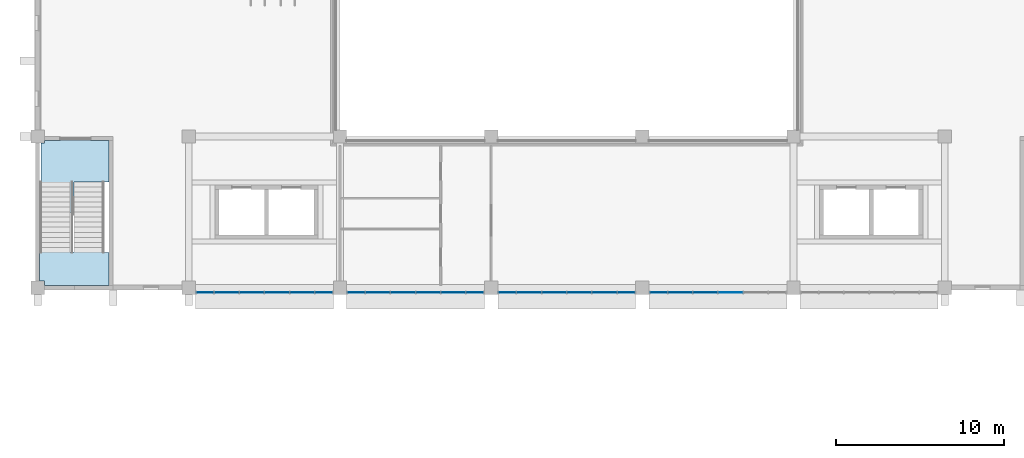
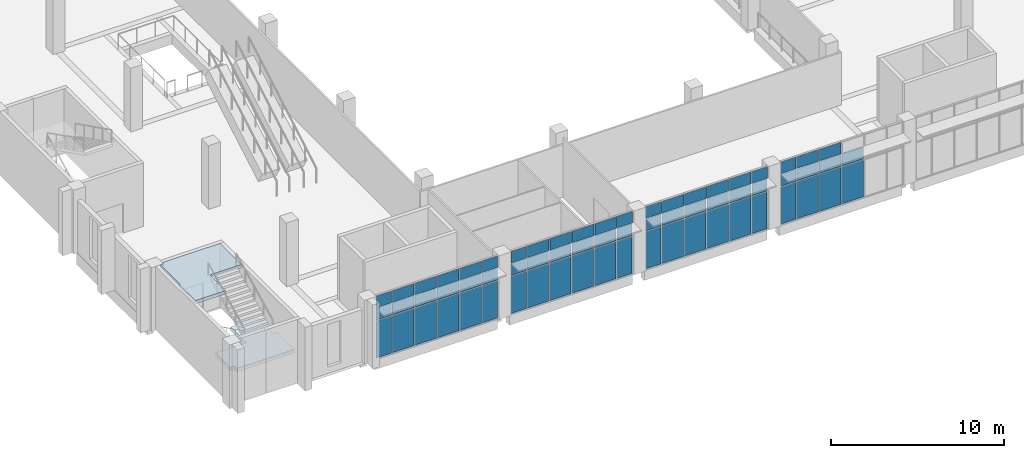
# One storey, part 41 of 79: 65 plates, 2 slabs, 5 elements without a shape of their own.
"""IFC4 building model written with IfcOpenShell, lengths in metres."""

import ifcopenshell
import ifcopenshell.guid

model = None  # the IFC model being written
_history = None  # IfcOwnerHistory: only IFC2X3 demands one
_inside = {}  # id of a spatial element -> (the spatial element, [elements in it])
_under = {}  # id of a project, library or spatial element -> (it, [spatial elements below it])
_declared = {}  # id of a project -> (the project, [libraries it declares])
_typed = {}  # id of a type object -> (the type object, [elements of that type])
_made_of = {}  # id of a material, layer set ... -> (it, [elements and type objects made of it])


def new_model(schema):
    """Start an empty IFC model of exactly this schema.

    Asked for "IFC4X3", IfcOpenShell would pick the latest addendum, in which some entities
    have other attributes; the version numbers below select the first issue.
    IFC2X3 requires an IfcOwnerHistory on every rooted entity: one is made here for all.
    """
    global model, _history
    if schema == "IFC4X3":
        model = ifcopenshell.file(schema_version=(4, 3, 0, 0))
    else:
        model = ifcopenshell.file(schema=schema)
    _inside.clear()
    _under.clear()
    _declared.clear()
    _typed.clear()
    _made_of.clear()
    _history = None
    if model.schema == "IFC2X3":
        org = make("IfcOrganization", Name="unknown")
        user = make(
            "IfcPersonAndOrganization",
            ThePerson=make("IfcPerson", FamilyName="unknown"),
            TheOrganization=org,
        )
        app = make(
            "IfcApplication",
            ApplicationDeveloper=org,
            Version="unknown",
            ApplicationFullName="unknown",
            ApplicationIdentifier="unknown",
        )
        _history = make(
            "IfcOwnerHistory",
            OwningUser=user,
            OwningApplication=app,
            ChangeAction="ADDED",
            CreationDate=0,
        )
    return model


def make(cls, **values):
    """One entity of the class cls with the attributes given. An attribute that is None is left unset."""
    return model.create_entity(
        cls, **{name: value for name, value in values.items() if value is not None}
    )


def rooted(cls, **values):
    """An entity with a GlobalId (a new one), such as an element, a storey or a relation."""
    return make(cls, GlobalId=ifcopenshell.guid.new(), OwnerHistory=_history, **values)


def si_unit(unit_type, name, prefix=None):
    """IfcSIUnit, for example si_unit("LENGTHUNIT", "METRE", prefix="MILLI")."""
    return make("IfcSIUnit", UnitType=unit_type, Prefix=prefix, Name=name)


def assignment(units):
    """IfcUnitAssignment: the units of a project."""
    return None if units is None else make("IfcUnitAssignment", Units=units)


def point(xyz):
    """IfcCartesianPoint."""
    return None if xyz is None else make("IfcCartesianPoint", Coordinates=xyz)


def direction(xyz):
    """IfcDirection."""
    return None if xyz is None else make("IfcDirection", DirectionRatios=xyz)


def frame(location, z_axis=None, x_axis=None):
    """IfcAxis2Placement3D, a coordinate frame: its origin and axes. An axis left out is left unset."""
    return make(
        "IfcAxis2Placement3D",
        Location=point(location),
        Axis=direction(z_axis),
        RefDirection=direction(x_axis),
    )


def frame_2d(location, x_axis=None):
    """IfcAxis2Placement2D, a coordinate frame in the plane: its origin and x axis."""
    return make(
        "IfcAxis2Placement2D", Location=point(location), RefDirection=direction(x_axis)
    )


def origin():
    """The frame at (0, 0, 0) with its axes left unset."""
    return frame((0.0, 0.0, 0.0))


def origin_2d():
    """The frame at (0, 0) in the plane with its x axis left unset."""
    return frame_2d((0.0, 0.0))


def place(relative_to, where):
    """IfcLocalPlacement: puts the frame where relative to a parent placement (None: the world)."""
    return make(
        "IfcLocalPlacement", PlacementRelTo=relative_to, RelativePlacement=where
    )


def context(
    kind, dimensions, precision=None, world=None, true_north=None, identifier=None
):
    """IfcGeometricRepresentationContext, for example the 3D "Model" context."""
    return make(
        "IfcGeometricRepresentationContext",
        ContextIdentifier=identifier,
        ContextType=kind,
        CoordinateSpaceDimension=dimensions,
        Precision=precision,
        WorldCoordinateSystem=world,
        TrueNorth=true_north,
    )


def subcontext(parent, identifier, kind, view, scale=None):
    """IfcGeometricRepresentationSubContext, for example "Body" below "Model"."""
    return make(
        "IfcGeometricRepresentationSubContext",
        ContextIdentifier=identifier,
        ContextType=kind,
        ParentContext=parent,
        TargetScale=scale,
        TargetView=view,
    )


def project(units=None, contexts=None):
    """IfcProject with its units and contexts."""
    return rooted(
        "IfcProject",
        Name="project",
        RepresentationContexts=contexts,
        UnitsInContext=assignment(units),
    )


def spatial(cls, under=None, at=None, **own):
    """A site, building, storey or space (cls), placed at a placement, below another one or the project."""
    s = rooted(cls, ObjectPlacement=at, **own)
    if under is not None:
        _under.setdefault(under.id(), (under, []))[1].append(s)
    return s


def polyline(points):
    """IfcPolyline through the points."""
    return make("IfcPolyline", Points=[point(p) for p in points])


def profile(cls, at=None, kind="AREA", **sizes):
    """A parametric profile (cls). Its sizes go by their IFC names, for example OverallWidth=200.0."""
    return make(cls, ProfileType=kind, Position=at, **sizes)


def rectangle(**sizes):
    """IfcRectangleProfileDef."""
    return profile("IfcRectangleProfileDef", **sizes)


def outline(outer, holes=None, kind="AREA"):
    """IfcArbitraryClosedProfileDef: a profile drawn as a closed curve; with holes, ...WithVoids."""
    if holes is None:
        return make("IfcArbitraryClosedProfileDef", ProfileType=kind, OuterCurve=outer)
    return make(
        "IfcArbitraryProfileDefWithVoids",
        ProfileType=kind,
        OuterCurve=outer,
        InnerCurves=holes,
    )


def extrude(swept, where, along, depth):
    """IfcExtrudedAreaSolid: the profile swept, set in the frame where, extruded along a direction by depth."""
    return make(
        "IfcExtrudedAreaSolid",
        SweptArea=swept,
        Position=where,
        ExtrudedDirection=direction(along),
        Depth=depth,
    )


def shape(context_of_items, identifier, shape_type, items):
    """IfcShapeRepresentation: the items that make up one representation, for example the "Body"."""
    return make(
        "IfcShapeRepresentation",
        ContextOfItems=context_of_items,
        RepresentationIdentifier=identifier,
        RepresentationType=shape_type,
        Items=items,
    )


def material(Name=None, Category=None):
    """IfcMaterial."""
    return make("IfcMaterial", Name=Name, Category=Category)


def layer(
    of_material, thickness, ventilated=None, Name=None, Category=None, Priority=None
):
    """IfcMaterialLayer: one layer of a wall or slab, of a material (None: an air gap)."""
    return make(
        "IfcMaterialLayer",
        Material=of_material,
        LayerThickness=thickness,
        IsVentilated=ventilated,
        Name=Name,
        Category=Category,
        Priority=Priority,
    )


def layer_set(layers, Name=None):
    """IfcMaterialLayerSet."""
    return make("IfcMaterialLayerSet", MaterialLayers=layers, LayerSetName=Name)


def made_of(thing, what):
    """Note that an element or type object is made of a material, layer set ...; save() writes the relation."""
    if what is not None:
        _made_of.setdefault(what.id(), (what, []))[1].append(thing)
    return thing


def type_object(cls, material=None, **own):
    """A type object (cls), such as IfcWallType, which elements share."""
    return made_of(rooted(cls, **own), material)


def element(
    cls,
    number,
    at=None,
    inside=None,
    cuts=None,
    type_object=None,
    material=None,
    context=None,
    identifier="Body",
    shape_type=None,
    held_by="IfcProductDefinitionShape",
    body=None,
    shapes=None,
    **own,
):
    """One element of the class cls, such as IfcWall. Its Tag is "e" and its number.

    at: its placement. inside: the storey or other place that contains it. cuts: it is an
    opening in that element (IfcRelVoidsElement). A single representation is given by context,
    identifier, shape_type and body (its items); several are given by shapes. held_by: the class
    of the entity that holds the representations. save() writes the other relations.
    """
    e = rooted(cls, Tag="e%d" % number, ObjectPlacement=at, **own)
    if body is not None:
        shapes = [shape(context, identifier, shape_type, body)]
    if shapes is not None:
        e.Representation = make(held_by, Representations=shapes)
    if inside is not None:
        _inside.setdefault(inside.id(), (inside, []))[1].append(e)
    if cuts is not None:
        rooted(
            "IfcRelVoidsElement", RelatingBuildingElement=cuts, RelatedOpeningElement=e
        )
    if type_object is not None:
        _typed.setdefault(type_object.id(), (type_object, []))[1].append(e)
    return made_of(e, material)


def aggregate(whole, parts):
    """IfcRelAggregates: a whole, such as a stair, and the parts it consists of."""
    return rooted("IfcRelAggregates", RelatingObject=whole, RelatedObjects=parts)


def save(model, path):
    """Write the relations noted so far, then the file.

    IfcRelAggregates (storeys below a building ...), IfcRelContainedInSpatialStructure (elements
    in a storey), IfcRelDefinesByType, IfcRelAssociatesMaterial and IfcRelDeclares: one each for
    every whole, place, type object, material and project.
    """
    for whole, parts in _under.values():
        aggregate(whole, parts)
    for where, things in _inside.values():
        rooted(
            "IfcRelContainedInSpatialStructure",
            RelatedElements=things,
            RelatingStructure=where,
        )
    for kind, things in _typed.values():
        rooted("IfcRelDefinesByType", RelatedObjects=things, RelatingType=kind)
    for what, things in _made_of.values():
        rooted("IfcRelAssociatesMaterial", RelatedObjects=things, RelatingMaterial=what)
    for by, libraries in _declared.values():
        rooted("IfcRelDeclares", RelatingContext=by, RelatedDefinitions=libraries)
    model.write(path)


model = new_model("IFC4")

# Units and contexts
model_context = context("Model", 3, precision=1e-05, world=origin(), true_north=direction((0.0, 1.0)))
body_context = subcontext(model_context, "Body", "Model", "MODEL_VIEW")
ifc_project = project(units=[si_unit("LENGTHUNIT", "METRE"), si_unit("AREAUNIT", "SQUARE_METRE"), si_unit("VOLUMEUNIT", "CUBIC_METRE"), si_unit("PLANEANGLEUNIT", "RADIAN"), si_unit("MASSUNIT", "GRAM", prefix="KILO")], contexts=[model_context])

# Site, building, storey
site_placement = place(None, origin())
site = spatial("IfcSite", under=ifc_project, at=site_placement, CompositionType="ELEMENT")
building_placement = place(site_placement, origin())
building = spatial("IfcBuilding", under=site, at=building_placement, Name="Guidao Yard Department Store", CompositionType="ELEMENT")
storey_placement = place(building_placement, frame((0.0, 0.0, 15.0)))
storey = spatial("IfcBuildingStorey", under=building, at=storey_placement, Name="L03", CompositionType="ELEMENT", Elevation=15.0)

# Curtain wall, plates
ifc_material_1 = material(Name="Aluminium and glass", Category="aluminium")
ifc_layer_1 = layer(ifc_material_1, 0.159912109375)
ifc_layer_set_1 = layer_set([ifc_layer_1], Name="Hall front curtain wall CW2 1500 module")
curtain_wall_type = type_object("IfcCurtainWallType", Name="Hall front curtain wall CW2 1500 module", PredefinedType="NOTDEFINED", material=ifc_layer_set_1)
curtain_wall_1_placement = place(storey_placement, origin())
curtain_wall_1 = element("IfcCurtainWall", 1, at=curtain_wall_1_placement, inside=storey, type_object=curtain_wall_type, Name="Hall front curtain wall", PredefinedType="NOTDEFINED")
ifc_material_2 = material(Name="Aluminium 6063-T5 faced insulated spandrel", Category="aluminium")
ifc_layer_2 = layer(ifc_material_2, 0.06005859375)
ifc_layer_set_2 = layer_set([ifc_layer_2], Name="Spandrel panel SP1 insulated opaque")
plate_type_1 = type_object("IfcPlateType", Name="Spandrel panel SP1 insulated opaque", PredefinedType="CURTAIN_PANEL", material=ifc_layer_set_2)
plate_1_placement = place(storey_placement, frame((9.965087890625, 44.719970703125, 3.6298828125), z_axis=(0.0, 0.0, 1.0), x_axis=(-1.0, 0.0, 0.0)))
plate_1 = element("IfcPlate", 2, at=plate_1_placement, type_object=plate_type_1, Name="CW-HF-L03-01 panel 1.3", PredefinedType="CURTAIN_PANEL", context=body_context, shape_type="SweptSolid", body=[
    extrude(rectangle(XDim=1.010009765625, YDim=0.06005859375, at=origin_2d()), origin(), (0.0, 0.0, 1.0), 0.81005859375),
])
plate_2_placement = place(storey_placement, frame((11.25, 44.719970703125, 3.6298828125), z_axis=(0.0, 0.0, 1.0), x_axis=(-1.0, 0.0, 0.0)))
plate_2 = element("IfcPlate", 3, at=plate_2_placement, type_object=plate_type_1, Name="CW-HF-L03-01 panel 2.3", PredefinedType="CURTAIN_PANEL", context=body_context, shape_type="SweptSolid", body=[
    extrude(rectangle(XDim=1.43994140625, YDim=0.06005859375, at=origin_2d()), origin(), (0.0, 0.0, 1.0), 0.81005859375),
])
plate_3_placement = place(storey_placement, frame((12.75, 44.719970703125, 3.6298828125), z_axis=(0.0, 0.0, 1.0), x_axis=(-1.0, 0.0, 0.0)))
plate_3 = element("IfcPlate", 4, at=plate_3_placement, type_object=plate_type_1, Name="CW-HF-L03-01 panel 3.3", PredefinedType="CURTAIN_PANEL", context=body_context, shape_type="SweptSolid", body=[
    extrude(rectangle(XDim=1.43994140625, YDim=0.06005859375, at=origin_2d()), origin(), (0.0, 0.0, 1.0), 0.81005859375),
])
plate_4_placement = place(storey_placement, frame((14.25, 44.719970703125, 3.6298828125), z_axis=(0.0, 0.0, 1.0), x_axis=(-1.0, 0.0, 0.0)))
plate_4 = element("IfcPlate", 5, at=plate_4_placement, type_object=plate_type_1, Name="CW-HF-L03-01 panel 4.3", PredefinedType="CURTAIN_PANEL", context=body_context, shape_type="SweptSolid", body=[
    extrude(rectangle(XDim=1.43994140625, YDim=0.06005859375, at=origin_2d()), origin(), (0.0, 0.0, 1.0), 0.81005859375),
])
plate_5_placement = place(storey_placement, frame((15.75, 44.719970703125, 3.6298828125), z_axis=(0.0, 0.0, 1.0), x_axis=(-1.0, 0.0, 0.0)))
plate_5 = element("IfcPlate", 6, at=plate_5_placement, type_object=plate_type_1, Name="CW-HF-L03-01 panel 5.3", PredefinedType="CURTAIN_PANEL", context=body_context, shape_type="SweptSolid", body=[
    extrude(rectangle(XDim=1.43994140625, YDim=0.06005859375, at=origin_2d()), origin(), (0.0, 0.0, 1.0), 0.81005859375),
])
plate_6_placement = place(storey_placement, frame((17.034912109375, 44.719970703125, 3.6298828125), z_axis=(0.0, 0.0, 1.0), x_axis=(-1.0, 0.0, 0.0)))
plate_6 = element("IfcPlate", 7, at=plate_6_placement, type_object=plate_type_1, Name="CW-HF-L03-01 panel 6.3", PredefinedType="CURTAIN_PANEL", context=body_context, shape_type="SweptSolid", body=[
    extrude(rectangle(XDim=1.010009765625, YDim=0.06005859375, at=origin_2d()), origin(), (0.0, 0.0, 1.0), 0.81005859375),
])

curtain_wall_2_placement = place(storey_placement, origin())
curtain_wall_2 = element("IfcCurtainWall", 8, at=curtain_wall_2_placement, inside=storey, type_object=curtain_wall_type, Name="Hall front curtain wall", PredefinedType="NOTDEFINED")
plate_7_placement = place(storey_placement, frame((18.965087890625, 44.719970703125, 3.6298828125), z_axis=(0.0, 0.0, 1.0), x_axis=(-1.0, 0.0, 0.0)))
plate_7 = element("IfcPlate", 9, at=plate_7_placement, type_object=plate_type_1, Name="CW-HF-L03-02 panel 1.3", PredefinedType="CURTAIN_PANEL", context=body_context, shape_type="SweptSolid", body=[
    extrude(rectangle(XDim=1.010009765625, YDim=0.06005859375, at=origin_2d()), origin(), (0.0, 0.0, 1.0), 0.81005859375),
])
plate_8_placement = place(storey_placement, frame((20.25, 44.719970703125, 3.6298828125), z_axis=(0.0, 0.0, 1.0), x_axis=(-1.0, 0.0, 0.0)))
plate_8 = element("IfcPlate", 10, at=plate_8_placement, type_object=plate_type_1, Name="CW-HF-L03-02 panel 2.3", PredefinedType="CURTAIN_PANEL", context=body_context, shape_type="SweptSolid", body=[
    extrude(rectangle(XDim=1.43994140625, YDim=0.06005859375, at=origin_2d()), origin(), (0.0, 0.0, 1.0), 0.81005859375),
])
plate_9_placement = place(storey_placement, frame((21.75, 44.719970703125, 3.6298828125), z_axis=(0.0, 0.0, 1.0), x_axis=(-1.0, 0.0, 0.0)))
plate_9 = element("IfcPlate", 11, at=plate_9_placement, type_object=plate_type_1, Name="CW-HF-L03-02 panel 3.3", PredefinedType="CURTAIN_PANEL", context=body_context, shape_type="SweptSolid", body=[
    extrude(rectangle(XDim=1.43994140625, YDim=0.06005859375, at=origin_2d()), origin(), (0.0, 0.0, 1.0), 0.81005859375),
])
plate_10_placement = place(storey_placement, frame((23.25, 44.719970703125, 3.6298828125), z_axis=(0.0, 0.0, 1.0), x_axis=(-1.0, 0.0, 0.0)))
plate_10 = element("IfcPlate", 12, at=plate_10_placement, type_object=plate_type_1, Name="CW-HF-L03-02 panel 4.3", PredefinedType="CURTAIN_PANEL", context=body_context, shape_type="SweptSolid", body=[
    extrude(rectangle(XDim=1.43994140625, YDim=0.06005859375, at=origin_2d()), origin(), (0.0, 0.0, 1.0), 0.81005859375),
])
plate_11_placement = place(storey_placement, frame((24.75, 44.719970703125, 3.6298828125), z_axis=(0.0, 0.0, 1.0), x_axis=(-1.0, 0.0, 0.0)))
plate_11 = element("IfcPlate", 13, at=plate_11_placement, type_object=plate_type_1, Name="CW-HF-L03-02 panel 5.3", PredefinedType="CURTAIN_PANEL", context=body_context, shape_type="SweptSolid", body=[
    extrude(rectangle(XDim=1.43994140625, YDim=0.06005859375, at=origin_2d()), origin(), (0.0, 0.0, 1.0), 0.81005859375),
])
plate_12_placement = place(storey_placement, frame((26.034912109375, 44.719970703125, 3.6298828125), z_axis=(0.0, 0.0, 1.0), x_axis=(-1.0, 0.0, 0.0)))
plate_12 = element("IfcPlate", 14, at=plate_12_placement, type_object=plate_type_1, Name="CW-HF-L03-02 panel 6.3", PredefinedType="CURTAIN_PANEL", context=body_context, shape_type="SweptSolid", body=[
    extrude(rectangle(XDim=1.010009765625, YDim=0.06005859375, at=origin_2d()), origin(), (0.0, 0.0, 1.0), 0.81005859375),
])

curtain_wall_3_placement = place(storey_placement, origin())
curtain_wall_3 = element("IfcCurtainWall", 15, at=curtain_wall_3_placement, inside=storey, type_object=curtain_wall_type, Name="Hall front curtain wall", PredefinedType="NOTDEFINED")
plate_13_placement = place(storey_placement, frame((27.965087890625, 44.719970703125, 3.6298828125), z_axis=(0.0, 0.0, 1.0), x_axis=(-1.0, 0.0, 0.0)))
plate_13 = element("IfcPlate", 16, at=plate_13_placement, type_object=plate_type_1, Name="CW-HF-L03-03 panel 1.3", PredefinedType="CURTAIN_PANEL", context=body_context, shape_type="SweptSolid", body=[
    extrude(rectangle(XDim=1.010009765625, YDim=0.06005859375, at=origin_2d()), origin(), (0.0, 0.0, 1.0), 0.81005859375),
])
plate_14_placement = place(storey_placement, frame((29.25, 44.719970703125, 3.6298828125), z_axis=(0.0, 0.0, 1.0), x_axis=(-1.0, 0.0, 0.0)))
plate_14 = element("IfcPlate", 17, at=plate_14_placement, type_object=plate_type_1, Name="CW-HF-L03-03 panel 2.3", PredefinedType="CURTAIN_PANEL", context=body_context, shape_type="SweptSolid", body=[
    extrude(rectangle(XDim=1.43994140625, YDim=0.06005859375, at=origin_2d()), origin(), (0.0, 0.0, 1.0), 0.81005859375),
])
plate_15_placement = place(storey_placement, frame((30.75, 44.719970703125, 3.6298828125), z_axis=(0.0, 0.0, 1.0), x_axis=(-1.0, 0.0, 0.0)))
plate_15 = element("IfcPlate", 18, at=plate_15_placement, type_object=plate_type_1, Name="CW-HF-L03-03 panel 3.3", PredefinedType="CURTAIN_PANEL", context=body_context, shape_type="SweptSolid", body=[
    extrude(rectangle(XDim=1.43994140625, YDim=0.06005859375, at=origin_2d()), origin(), (0.0, 0.0, 1.0), 0.81005859375),
])
plate_16_placement = place(storey_placement, frame((32.25, 44.719970703125, 3.6298828125), z_axis=(0.0, 0.0, 1.0), x_axis=(-1.0, 0.0, 0.0)))
plate_16 = element("IfcPlate", 19, at=plate_16_placement, type_object=plate_type_1, Name="CW-HF-L03-03 panel 4.3", PredefinedType="CURTAIN_PANEL", context=body_context, shape_type="SweptSolid", body=[
    extrude(rectangle(XDim=1.43994140625, YDim=0.06005859375, at=origin_2d()), origin(), (0.0, 0.0, 1.0), 0.81005859375),
])
plate_17_placement = place(storey_placement, frame((33.75, 44.719970703125, 3.6298828125), z_axis=(0.0, 0.0, 1.0), x_axis=(-1.0, 0.0, 0.0)))
plate_17 = element("IfcPlate", 20, at=plate_17_placement, type_object=plate_type_1, Name="CW-HF-L03-03 panel 5.3", PredefinedType="CURTAIN_PANEL", context=body_context, shape_type="SweptSolid", body=[
    extrude(rectangle(XDim=1.43994140625, YDim=0.06005859375, at=origin_2d()), origin(), (0.0, 0.0, 1.0), 0.81005859375),
])
plate_18_placement = place(storey_placement, frame((35.034912109375, 44.719970703125, 3.6298828125), z_axis=(0.0, 0.0, 1.0), x_axis=(-1.0, 0.0, 0.0)))
plate_18 = element("IfcPlate", 21, at=plate_18_placement, type_object=plate_type_1, Name="CW-HF-L03-03 panel 6.3", PredefinedType="CURTAIN_PANEL", context=body_context, shape_type="SweptSolid", body=[
    extrude(rectangle(XDim=1.010009765625, YDim=0.06005859375, at=origin_2d()), origin(), (0.0, 0.0, 1.0), 0.81005859375),
])

curtain_wall_4_placement = place(storey_placement, origin())
curtain_wall_4 = element("IfcCurtainWall", 22, at=curtain_wall_4_placement, inside=storey, type_object=curtain_wall_type, Name="Hall front curtain wall", PredefinedType="NOTDEFINED")
plate_19_placement = place(storey_placement, frame((36.965087890625, 44.719970703125, 3.6298828125), z_axis=(0.0, 0.0, 1.0), x_axis=(-1.0, 0.0, 0.0)))
plate_19 = element("IfcPlate", 23, at=plate_19_placement, type_object=plate_type_1, Name="CW-HF-L03-04 panel 1.3", PredefinedType="CURTAIN_PANEL", context=body_context, shape_type="SweptSolid", body=[
    extrude(rectangle(XDim=1.010009765625, YDim=0.06005859375, at=origin_2d()), origin(), (0.0, 0.0, 1.0), 0.81005859375),
])
plate_20_placement = place(storey_placement, frame((38.25, 44.719970703125, 3.6298828125), z_axis=(0.0, 0.0, 1.0), x_axis=(-1.0, 0.0, 0.0)))
plate_20 = element("IfcPlate", 24, at=plate_20_placement, type_object=plate_type_1, Name="CW-HF-L03-04 panel 2.3", PredefinedType="CURTAIN_PANEL", context=body_context, shape_type="SweptSolid", body=[
    extrude(rectangle(XDim=1.43994140625, YDim=0.06005859375, at=origin_2d()), origin(), (0.0, 0.0, 1.0), 0.81005859375),
])
plate_21_placement = place(storey_placement, frame((39.75, 44.719970703125, 3.6298828125), z_axis=(0.0, 0.0, 1.0), x_axis=(-1.0, 0.0, 0.0)))
plate_21 = element("IfcPlate", 25, at=plate_21_placement, type_object=plate_type_1, Name="CW-HF-L03-04 panel 3.3", PredefinedType="CURTAIN_PANEL", context=body_context, shape_type="SweptSolid", body=[
    extrude(rectangle(XDim=1.43994140625, YDim=0.06005859375, at=origin_2d()), origin(), (0.0, 0.0, 1.0), 0.81005859375),
])

# Stair, slabs
ifc_material_3 = material(Name="Concrete C35", Category="concrete")
stair_type = type_object("IfcStairType", Name="Stair half-turn two-flight 1800 wide 4.5 m rise", PredefinedType="HALF_TURN_STAIR", material=ifc_material_3)
stair_placement = place(storey_placement, origin())
stair = element("IfcStair", 26, at=stair_placement, inside=storey, type_object=stair_type, Name="Stair A8 L03 to L04", PredefinedType="HALF_TURN_STAIR")
ifc_material_4 = material(Name="Concrete C35", Category="concrete")
ifc_layer_3 = layer(ifc_material_4, 0.25)
ifc_layer_set_3 = layer_set([ifc_layer_3], Name="Stair landing RC 250 C35")
slab_type = type_object("IfcSlabType", Name="Stair landing RC 250 C35", PredefinedType="LANDING", material=ifc_layer_set_3)
slab_1_placement = place(storey_placement, frame((0.0, 0.0, 2.0)))
slab_1 = element("IfcSlab", 27, at=slab_1_placement, type_object=slab_type, Name="SA8-L03 landing 1", PredefinedType="LANDING", context=body_context, shape_type="SweptSolid", body=[
    extrude(outline(polyline([(0.39990234375, 45.125), (0.39990234375, 45.39990234375), (0.125, 45.39990234375), (0.125, 47.10009765625), (0.125, 47.110107421875), (2.175048828125, 47.110107421875), (2.175048828125, 48.929931640625), (3.97509765625, 48.929931640625), (3.97509765625, 47.10009765625), (4.25, 47.10009765625), (4.25, 45.125), (0.39990234375, 45.125)])), origin(), (0.0, 0.0, 1.0), 0.25),
])
slab_2_placement = place(storey_placement, frame((0.0, 0.0, 4.25)))
slab_2 = element("IfcSlab", 28, at=slab_2_placement, type_object=slab_type, Name="SA8-L03 landing 2", PredefinedType="LANDING", context=body_context, shape_type="SweptSolid", body=[
    extrude(outline(polyline([(0.125, 51.300048828125), (0.199951171875, 51.300048828125), (0.199951171875, 53.60009765625), (0.39990234375, 53.60009765625), (0.39990234375, 53.75), (2.175048828125, 53.75), (4.25, 53.75), (4.25, 51.2900390625), (2.175048828125, 51.2900390625), (2.175048828125, 49.469970703125), (0.125, 49.469970703125), (0.125, 51.300048828125)])), origin(), (0.0, 0.0, 1.0), 0.25),
])
aggregate(stair, [slab_1, slab_2])

# Plate
ifc_material_5 = material(Name="Laminated heat-soaked tempered glass", Category="glass")
ifc_layer_4 = layer(ifc_material_5, 0.017578125)
ifc_layer_set_4 = layer_set([ifc_layer_4], Name="Vision glass VG1 laminated heat-soaked tempered 8+8")
plate_type_2 = type_object("IfcPlateType", Name="Vision glass VG1 laminated heat-soaked tempered 8+8", PredefinedType="CURTAIN_PANEL", material=ifc_layer_set_4)
plate_22_placement = place(storey_placement, frame((9.965087890625, 44.719970703125, 0.06005859375), z_axis=(0.0, 0.0, 1.0), x_axis=(-1.0, 0.0, 0.0)))
plate_22 = element("IfcPlate", 29, at=plate_22_placement, type_object=plate_type_2, Name="CW-HF-L03-01 panel 1.1", PredefinedType="CURTAIN_PANEL", context=body_context, shape_type="SweptSolid", body=[
    extrude(rectangle(XDim=1.010009765625, YDim=0.017578125, at=origin_2d()), origin(), (0.0, 0.0, 1.0), 2.610107421875),
])

plate_23_placement = place(storey_placement, frame((9.965087890625, 44.719970703125, 2.72998046875), z_axis=(0.0, 0.0, 1.0), x_axis=(-1.0, 0.0, 0.0)))
plate_23 = element("IfcPlate", 30, at=plate_23_placement, type_object=plate_type_2, Name="CW-HF-L03-01 panel 1.2", PredefinedType="CURTAIN_PANEL", context=body_context, shape_type="SweptSolid", body=[
    extrude(rectangle(XDim=1.010009765625, YDim=0.017578125, at=origin_2d()), origin(), (0.0, 0.0, 1.0), 0.840087890625),
])

plate_24_placement = place(storey_placement, frame((11.25, 44.719970703125, 0.06005859375), z_axis=(0.0, 0.0, 1.0), x_axis=(-1.0, 0.0, 0.0)))
plate_24 = element("IfcPlate", 31, at=plate_24_placement, type_object=plate_type_2, Name="CW-HF-L03-01 panel 2.1", PredefinedType="CURTAIN_PANEL", context=body_context, shape_type="SweptSolid", body=[
    extrude(rectangle(XDim=1.43994140625, YDim=0.017578125, at=origin_2d()), origin(), (0.0, 0.0, 1.0), 2.610107421875),
])

plate_25_placement = place(storey_placement, frame((11.25, 44.719970703125, 2.72998046875), z_axis=(0.0, 0.0, 1.0), x_axis=(-1.0, 0.0, 0.0)))
plate_25 = element("IfcPlate", 32, at=plate_25_placement, type_object=plate_type_2, Name="CW-HF-L03-01 panel 2.2", PredefinedType="CURTAIN_PANEL", context=body_context, shape_type="SweptSolid", body=[
    extrude(rectangle(XDim=1.43994140625, YDim=0.017578125, at=origin_2d()), origin(), (0.0, 0.0, 1.0), 0.840087890625),
])

plate_26_placement = place(storey_placement, frame((12.75, 44.719970703125, 0.06005859375), z_axis=(0.0, 0.0, 1.0), x_axis=(-1.0, 0.0, 0.0)))
plate_26 = element("IfcPlate", 33, at=plate_26_placement, type_object=plate_type_2, Name="CW-HF-L03-01 panel 3.1", PredefinedType="CURTAIN_PANEL", context=body_context, shape_type="SweptSolid", body=[
    extrude(rectangle(XDim=1.43994140625, YDim=0.017578125, at=origin_2d()), origin(), (0.0, 0.0, 1.0), 2.610107421875),
])

plate_27_placement = place(storey_placement, frame((12.75, 44.719970703125, 2.72998046875), z_axis=(0.0, 0.0, 1.0), x_axis=(-1.0, 0.0, 0.0)))
plate_27 = element("IfcPlate", 34, at=plate_27_placement, type_object=plate_type_2, Name="CW-HF-L03-01 panel 3.2", PredefinedType="CURTAIN_PANEL", context=body_context, shape_type="SweptSolid", body=[
    extrude(rectangle(XDim=1.43994140625, YDim=0.017578125, at=origin_2d()), origin(), (0.0, 0.0, 1.0), 0.840087890625),
])

plate_28_placement = place(storey_placement, frame((14.25, 44.719970703125, 0.06005859375), z_axis=(0.0, 0.0, 1.0), x_axis=(-1.0, 0.0, 0.0)))
plate_28 = element("IfcPlate", 35, at=plate_28_placement, type_object=plate_type_2, Name="CW-HF-L03-01 panel 4.1", PredefinedType="CURTAIN_PANEL", context=body_context, shape_type="SweptSolid", body=[
    extrude(rectangle(XDim=1.43994140625, YDim=0.017578125, at=origin_2d()), origin(), (0.0, 0.0, 1.0), 2.610107421875),
])

plate_29_placement = place(storey_placement, frame((14.25, 44.719970703125, 2.72998046875), z_axis=(0.0, 0.0, 1.0), x_axis=(-1.0, 0.0, 0.0)))
plate_29 = element("IfcPlate", 36, at=plate_29_placement, type_object=plate_type_2, Name="CW-HF-L03-01 panel 4.2", PredefinedType="CURTAIN_PANEL", context=body_context, shape_type="SweptSolid", body=[
    extrude(rectangle(XDim=1.43994140625, YDim=0.017578125, at=origin_2d()), origin(), (0.0, 0.0, 1.0), 0.840087890625),
])

plate_30_placement = place(storey_placement, frame((15.75, 44.719970703125, 0.06005859375), z_axis=(0.0, 0.0, 1.0), x_axis=(-1.0, 0.0, 0.0)))
plate_30 = element("IfcPlate", 37, at=plate_30_placement, type_object=plate_type_2, Name="CW-HF-L03-01 panel 5.1", PredefinedType="CURTAIN_PANEL", context=body_context, shape_type="SweptSolid", body=[
    extrude(rectangle(XDim=1.43994140625, YDim=0.017578125, at=origin_2d()), origin(), (0.0, 0.0, 1.0), 2.610107421875),
])

plate_31_placement = place(storey_placement, frame((15.75, 44.719970703125, 2.72998046875), z_axis=(0.0, 0.0, 1.0), x_axis=(-1.0, 0.0, 0.0)))
plate_31 = element("IfcPlate", 38, at=plate_31_placement, type_object=plate_type_2, Name="CW-HF-L03-01 panel 5.2", PredefinedType="CURTAIN_PANEL", context=body_context, shape_type="SweptSolid", body=[
    extrude(rectangle(XDim=1.43994140625, YDim=0.017578125, at=origin_2d()), origin(), (0.0, 0.0, 1.0), 0.840087890625),
])

plate_32_placement = place(storey_placement, frame((17.034912109375, 44.719970703125, 0.06005859375), z_axis=(0.0, 0.0, 1.0), x_axis=(-1.0, 0.0, 0.0)))
plate_32 = element("IfcPlate", 39, at=plate_32_placement, type_object=plate_type_2, Name="CW-HF-L03-01 panel 6.1", PredefinedType="CURTAIN_PANEL", context=body_context, shape_type="SweptSolid", body=[
    extrude(rectangle(XDim=1.010009765625, YDim=0.017578125, at=origin_2d()), origin(), (0.0, 0.0, 1.0), 2.610107421875),
])

plate_33_placement = place(storey_placement, frame((17.034912109375, 44.719970703125, 2.72998046875), z_axis=(0.0, 0.0, 1.0), x_axis=(-1.0, 0.0, 0.0)))
plate_33 = element("IfcPlate", 40, at=plate_33_placement, type_object=plate_type_2, Name="CW-HF-L03-01 panel 6.2", PredefinedType="CURTAIN_PANEL", context=body_context, shape_type="SweptSolid", body=[
    extrude(rectangle(XDim=1.010009765625, YDim=0.017578125, at=origin_2d()), origin(), (0.0, 0.0, 1.0), 0.840087890625),
])

aggregate(curtain_wall_1, [plate_22, plate_23, plate_1, plate_24, plate_25, plate_2, plate_26, plate_27, plate_3, plate_28, plate_29, plate_4, plate_30, plate_31, plate_5, plate_32, plate_33, plate_6])

plate_34_placement = place(storey_placement, frame((18.965087890625, 44.719970703125, 0.06005859375), z_axis=(0.0, 0.0, 1.0), x_axis=(-1.0, 0.0, 0.0)))
plate_34 = element("IfcPlate", 41, at=plate_34_placement, type_object=plate_type_2, Name="CW-HF-L03-02 panel 1.1", PredefinedType="CURTAIN_PANEL", context=body_context, shape_type="SweptSolid", body=[
    extrude(rectangle(XDim=1.010009765625, YDim=0.017578125, at=origin_2d()), origin(), (0.0, 0.0, 1.0), 2.610107421875),
])

plate_35_placement = place(storey_placement, frame((18.965087890625, 44.719970703125, 2.72998046875), z_axis=(0.0, 0.0, 1.0), x_axis=(-1.0, 0.0, 0.0)))
plate_35 = element("IfcPlate", 42, at=plate_35_placement, type_object=plate_type_2, Name="CW-HF-L03-02 panel 1.2", PredefinedType="CURTAIN_PANEL", context=body_context, shape_type="SweptSolid", body=[
    extrude(rectangle(XDim=1.010009765625, YDim=0.017578125, at=origin_2d()), origin(), (0.0, 0.0, 1.0), 0.840087890625),
])

plate_36_placement = place(storey_placement, frame((20.25, 44.719970703125, 0.06005859375), z_axis=(0.0, 0.0, 1.0), x_axis=(-1.0, 0.0, 0.0)))
plate_36 = element("IfcPlate", 43, at=plate_36_placement, type_object=plate_type_2, Name="CW-HF-L03-02 panel 2.1", PredefinedType="CURTAIN_PANEL", context=body_context, shape_type="SweptSolid", body=[
    extrude(rectangle(XDim=1.43994140625, YDim=0.017578125, at=origin_2d()), origin(), (0.0, 0.0, 1.0), 2.610107421875),
])

plate_37_placement = place(storey_placement, frame((20.25, 44.719970703125, 2.72998046875), z_axis=(0.0, 0.0, 1.0), x_axis=(-1.0, 0.0, 0.0)))
plate_37 = element("IfcPlate", 44, at=plate_37_placement, type_object=plate_type_2, Name="CW-HF-L03-02 panel 2.2", PredefinedType="CURTAIN_PANEL", context=body_context, shape_type="SweptSolid", body=[
    extrude(rectangle(XDim=1.43994140625, YDim=0.017578125, at=origin_2d()), origin(), (0.0, 0.0, 1.0), 0.840087890625),
])

plate_38_placement = place(storey_placement, frame((21.75, 44.719970703125, 0.06005859375), z_axis=(0.0, 0.0, 1.0), x_axis=(-1.0, 0.0, 0.0)))
plate_38 = element("IfcPlate", 45, at=plate_38_placement, type_object=plate_type_2, Name="CW-HF-L03-02 panel 3.1", PredefinedType="CURTAIN_PANEL", context=body_context, shape_type="SweptSolid", body=[
    extrude(rectangle(XDim=1.43994140625, YDim=0.017578125, at=origin_2d()), origin(), (0.0, 0.0, 1.0), 2.610107421875),
])

plate_39_placement = place(storey_placement, frame((21.75, 44.719970703125, 2.72998046875), z_axis=(0.0, 0.0, 1.0), x_axis=(-1.0, 0.0, 0.0)))
plate_39 = element("IfcPlate", 46, at=plate_39_placement, type_object=plate_type_2, Name="CW-HF-L03-02 panel 3.2", PredefinedType="CURTAIN_PANEL", context=body_context, shape_type="SweptSolid", body=[
    extrude(rectangle(XDim=1.43994140625, YDim=0.017578125, at=origin_2d()), origin(), (0.0, 0.0, 1.0), 0.840087890625),
])

plate_40_placement = place(storey_placement, frame((23.25, 44.719970703125, 0.06005859375), z_axis=(0.0, 0.0, 1.0), x_axis=(-1.0, 0.0, 0.0)))
plate_40 = element("IfcPlate", 47, at=plate_40_placement, type_object=plate_type_2, Name="CW-HF-L03-02 panel 4.1", PredefinedType="CURTAIN_PANEL", context=body_context, shape_type="SweptSolid", body=[
    extrude(rectangle(XDim=1.43994140625, YDim=0.017578125, at=origin_2d()), origin(), (0.0, 0.0, 1.0), 2.610107421875),
])

plate_41_placement = place(storey_placement, frame((23.25, 44.719970703125, 2.72998046875), z_axis=(0.0, 0.0, 1.0), x_axis=(-1.0, 0.0, 0.0)))
plate_41 = element("IfcPlate", 48, at=plate_41_placement, type_object=plate_type_2, Name="CW-HF-L03-02 panel 4.2", PredefinedType="CURTAIN_PANEL", context=body_context, shape_type="SweptSolid", body=[
    extrude(rectangle(XDim=1.43994140625, YDim=0.017578125, at=origin_2d()), origin(), (0.0, 0.0, 1.0), 0.840087890625),
])

plate_42_placement = place(storey_placement, frame((24.75, 44.719970703125, 0.06005859375), z_axis=(0.0, 0.0, 1.0), x_axis=(-1.0, 0.0, 0.0)))
plate_42 = element("IfcPlate", 49, at=plate_42_placement, type_object=plate_type_2, Name="CW-HF-L03-02 panel 5.1", PredefinedType="CURTAIN_PANEL", context=body_context, shape_type="SweptSolid", body=[
    extrude(rectangle(XDim=1.43994140625, YDim=0.017578125, at=origin_2d()), origin(), (0.0, 0.0, 1.0), 2.610107421875),
])

plate_43_placement = place(storey_placement, frame((24.75, 44.719970703125, 2.72998046875), z_axis=(0.0, 0.0, 1.0), x_axis=(-1.0, 0.0, 0.0)))
plate_43 = element("IfcPlate", 50, at=plate_43_placement, type_object=plate_type_2, Name="CW-HF-L03-02 panel 5.2", PredefinedType="CURTAIN_PANEL", context=body_context, shape_type="SweptSolid", body=[
    extrude(rectangle(XDim=1.43994140625, YDim=0.017578125, at=origin_2d()), origin(), (0.0, 0.0, 1.0), 0.840087890625),
])

plate_44_placement = place(storey_placement, frame((26.034912109375, 44.719970703125, 0.06005859375), z_axis=(0.0, 0.0, 1.0), x_axis=(-1.0, 0.0, 0.0)))
plate_44 = element("IfcPlate", 51, at=plate_44_placement, type_object=plate_type_2, Name="CW-HF-L03-02 panel 6.1", PredefinedType="CURTAIN_PANEL", context=body_context, shape_type="SweptSolid", body=[
    extrude(rectangle(XDim=1.010009765625, YDim=0.017578125, at=origin_2d()), origin(), (0.0, 0.0, 1.0), 2.610107421875),
])

plate_45_placement = place(storey_placement, frame((26.034912109375, 44.719970703125, 2.72998046875), z_axis=(0.0, 0.0, 1.0), x_axis=(-1.0, 0.0, 0.0)))
plate_45 = element("IfcPlate", 52, at=plate_45_placement, type_object=plate_type_2, Name="CW-HF-L03-02 panel 6.2", PredefinedType="CURTAIN_PANEL", context=body_context, shape_type="SweptSolid", body=[
    extrude(rectangle(XDim=1.010009765625, YDim=0.017578125, at=origin_2d()), origin(), (0.0, 0.0, 1.0), 0.840087890625),
])

aggregate(curtain_wall_2, [plate_34, plate_35, plate_7, plate_36, plate_37, plate_8, plate_38, plate_39, plate_9, plate_40, plate_41, plate_10, plate_42, plate_43, plate_11, plate_44, plate_45, plate_12])

plate_46_placement = place(storey_placement, frame((27.965087890625, 44.719970703125, 0.06005859375), z_axis=(0.0, 0.0, 1.0), x_axis=(-1.0, 0.0, 0.0)))
plate_46 = element("IfcPlate", 53, at=plate_46_placement, type_object=plate_type_2, Name="CW-HF-L03-03 panel 1.1", PredefinedType="CURTAIN_PANEL", context=body_context, shape_type="SweptSolid", body=[
    extrude(rectangle(XDim=1.010009765625, YDim=0.017578125, at=origin_2d()), origin(), (0.0, 0.0, 1.0), 2.610107421875),
])

plate_47_placement = place(storey_placement, frame((27.965087890625, 44.719970703125, 2.72998046875), z_axis=(0.0, 0.0, 1.0), x_axis=(-1.0, 0.0, 0.0)))
plate_47 = element("IfcPlate", 54, at=plate_47_placement, type_object=plate_type_2, Name="CW-HF-L03-03 panel 1.2", PredefinedType="CURTAIN_PANEL", context=body_context, shape_type="SweptSolid", body=[
    extrude(rectangle(XDim=1.010009765625, YDim=0.017578125, at=origin_2d()), origin(), (0.0, 0.0, 1.0), 0.840087890625),
])

plate_48_placement = place(storey_placement, frame((29.25, 44.719970703125, 0.06005859375), z_axis=(0.0, 0.0, 1.0), x_axis=(-1.0, 0.0, 0.0)))
plate_48 = element("IfcPlate", 55, at=plate_48_placement, type_object=plate_type_2, Name="CW-HF-L03-03 panel 2.1", PredefinedType="CURTAIN_PANEL", context=body_context, shape_type="SweptSolid", body=[
    extrude(rectangle(XDim=1.43994140625, YDim=0.017578125, at=origin_2d()), origin(), (0.0, 0.0, 1.0), 2.610107421875),
])

plate_49_placement = place(storey_placement, frame((29.25, 44.719970703125, 2.72998046875), z_axis=(0.0, 0.0, 1.0), x_axis=(-1.0, 0.0, 0.0)))
plate_49 = element("IfcPlate", 56, at=plate_49_placement, type_object=plate_type_2, Name="CW-HF-L03-03 panel 2.2", PredefinedType="CURTAIN_PANEL", context=body_context, shape_type="SweptSolid", body=[
    extrude(rectangle(XDim=1.43994140625, YDim=0.017578125, at=origin_2d()), origin(), (0.0, 0.0, 1.0), 0.840087890625),
])

plate_50_placement = place(storey_placement, frame((30.75, 44.719970703125, 0.06005859375), z_axis=(0.0, 0.0, 1.0), x_axis=(-1.0, 0.0, 0.0)))
plate_50 = element("IfcPlate", 57, at=plate_50_placement, type_object=plate_type_2, Name="CW-HF-L03-03 panel 3.1", PredefinedType="CURTAIN_PANEL", context=body_context, shape_type="SweptSolid", body=[
    extrude(rectangle(XDim=1.43994140625, YDim=0.017578125, at=origin_2d()), origin(), (0.0, 0.0, 1.0), 2.610107421875),
])

plate_51_placement = place(storey_placement, frame((30.75, 44.719970703125, 2.72998046875), z_axis=(0.0, 0.0, 1.0), x_axis=(-1.0, 0.0, 0.0)))
plate_51 = element("IfcPlate", 58, at=plate_51_placement, type_object=plate_type_2, Name="CW-HF-L03-03 panel 3.2", PredefinedType="CURTAIN_PANEL", context=body_context, shape_type="SweptSolid", body=[
    extrude(rectangle(XDim=1.43994140625, YDim=0.017578125, at=origin_2d()), origin(), (0.0, 0.0, 1.0), 0.840087890625),
])

plate_52_placement = place(storey_placement, frame((32.25, 44.719970703125, 0.06005859375), z_axis=(0.0, 0.0, 1.0), x_axis=(-1.0, 0.0, 0.0)))
plate_52 = element("IfcPlate", 59, at=plate_52_placement, type_object=plate_type_2, Name="CW-HF-L03-03 panel 4.1", PredefinedType="CURTAIN_PANEL", context=body_context, shape_type="SweptSolid", body=[
    extrude(rectangle(XDim=1.43994140625, YDim=0.017578125, at=origin_2d()), origin(), (0.0, 0.0, 1.0), 2.610107421875),
])

plate_53_placement = place(storey_placement, frame((32.25, 44.719970703125, 2.72998046875), z_axis=(0.0, 0.0, 1.0), x_axis=(-1.0, 0.0, 0.0)))
plate_53 = element("IfcPlate", 60, at=plate_53_placement, type_object=plate_type_2, Name="CW-HF-L03-03 panel 4.2", PredefinedType="CURTAIN_PANEL", context=body_context, shape_type="SweptSolid", body=[
    extrude(rectangle(XDim=1.43994140625, YDim=0.017578125, at=origin_2d()), origin(), (0.0, 0.0, 1.0), 0.840087890625),
])

plate_54_placement = place(storey_placement, frame((33.75, 44.719970703125, 0.06005859375), z_axis=(0.0, 0.0, 1.0), x_axis=(-1.0, 0.0, 0.0)))
plate_54 = element("IfcPlate", 61, at=plate_54_placement, type_object=plate_type_2, Name="CW-HF-L03-03 panel 5.1", PredefinedType="CURTAIN_PANEL", context=body_context, shape_type="SweptSolid", body=[
    extrude(rectangle(XDim=1.43994140625, YDim=0.017578125, at=origin_2d()), origin(), (0.0, 0.0, 1.0), 2.610107421875),
])

plate_55_placement = place(storey_placement, frame((33.75, 44.719970703125, 2.72998046875), z_axis=(0.0, 0.0, 1.0), x_axis=(-1.0, 0.0, 0.0)))
plate_55 = element("IfcPlate", 62, at=plate_55_placement, type_object=plate_type_2, Name="CW-HF-L03-03 panel 5.2", PredefinedType="CURTAIN_PANEL", context=body_context, shape_type="SweptSolid", body=[
    extrude(rectangle(XDim=1.43994140625, YDim=0.017578125, at=origin_2d()), origin(), (0.0, 0.0, 1.0), 0.840087890625),
])

plate_56_placement = place(storey_placement, frame((35.034912109375, 44.719970703125, 0.06005859375), z_axis=(0.0, 0.0, 1.0), x_axis=(-1.0, 0.0, 0.0)))
plate_56 = element("IfcPlate", 63, at=plate_56_placement, type_object=plate_type_2, Name="CW-HF-L03-03 panel 6.1", PredefinedType="CURTAIN_PANEL", context=body_context, shape_type="SweptSolid", body=[
    extrude(rectangle(XDim=1.010009765625, YDim=0.017578125, at=origin_2d()), origin(), (0.0, 0.0, 1.0), 2.610107421875),
])

plate_57_placement = place(storey_placement, frame((35.034912109375, 44.719970703125, 2.72998046875), z_axis=(0.0, 0.0, 1.0), x_axis=(-1.0, 0.0, 0.0)))
plate_57 = element("IfcPlate", 64, at=plate_57_placement, type_object=plate_type_2, Name="CW-HF-L03-03 panel 6.2", PredefinedType="CURTAIN_PANEL", context=body_context, shape_type="SweptSolid", body=[
    extrude(rectangle(XDim=1.010009765625, YDim=0.017578125, at=origin_2d()), origin(), (0.0, 0.0, 1.0), 0.840087890625),
])

aggregate(curtain_wall_3, [plate_46, plate_47, plate_13, plate_48, plate_49, plate_14, plate_50, plate_51, plate_15, plate_52, plate_53, plate_16, plate_54, plate_55, plate_17, plate_56, plate_57, plate_18])

plate_58_placement = place(storey_placement, frame((36.965087890625, 44.719970703125, 0.06005859375), z_axis=(0.0, 0.0, 1.0), x_axis=(-1.0, 0.0, 0.0)))
plate_58 = element("IfcPlate", 65, at=plate_58_placement, type_object=plate_type_2, Name="CW-HF-L03-04 panel 1.1", PredefinedType="CURTAIN_PANEL", context=body_context, shape_type="SweptSolid", body=[
    extrude(rectangle(XDim=1.010009765625, YDim=0.017578125, at=origin_2d()), origin(), (0.0, 0.0, 1.0), 2.610107421875),
])

plate_59_placement = place(storey_placement, frame((36.965087890625, 44.719970703125, 2.72998046875), z_axis=(0.0, 0.0, 1.0), x_axis=(-1.0, 0.0, 0.0)))
plate_59 = element("IfcPlate", 66, at=plate_59_placement, type_object=plate_type_2, Name="CW-HF-L03-04 panel 1.2", PredefinedType="CURTAIN_PANEL", context=body_context, shape_type="SweptSolid", body=[
    extrude(rectangle(XDim=1.010009765625, YDim=0.017578125, at=origin_2d()), origin(), (0.0, 0.0, 1.0), 0.840087890625),
])

plate_60_placement = place(storey_placement, frame((38.25, 44.719970703125, 0.06005859375), z_axis=(0.0, 0.0, 1.0), x_axis=(-1.0, 0.0, 0.0)))
plate_60 = element("IfcPlate", 67, at=plate_60_placement, type_object=plate_type_2, Name="CW-HF-L03-04 panel 2.1", PredefinedType="CURTAIN_PANEL", context=body_context, shape_type="SweptSolid", body=[
    extrude(rectangle(XDim=1.43994140625, YDim=0.017578125, at=origin_2d()), origin(), (0.0, 0.0, 1.0), 2.610107421875),
])

plate_61_placement = place(storey_placement, frame((38.25, 44.719970703125, 2.72998046875), z_axis=(0.0, 0.0, 1.0), x_axis=(-1.0, 0.0, 0.0)))
plate_61 = element("IfcPlate", 68, at=plate_61_placement, type_object=plate_type_2, Name="CW-HF-L03-04 panel 2.2", PredefinedType="CURTAIN_PANEL", context=body_context, shape_type="SweptSolid", body=[
    extrude(rectangle(XDim=1.43994140625, YDim=0.017578125, at=origin_2d()), origin(), (0.0, 0.0, 1.0), 0.840087890625),
])

plate_62_placement = place(storey_placement, frame((39.75, 44.719970703125, 0.06005859375), z_axis=(0.0, 0.0, 1.0), x_axis=(-1.0, 0.0, 0.0)))
plate_62 = element("IfcPlate", 69, at=plate_62_placement, type_object=plate_type_2, Name="CW-HF-L03-04 panel 3.1", PredefinedType="CURTAIN_PANEL", context=body_context, shape_type="SweptSolid", body=[
    extrude(rectangle(XDim=1.43994140625, YDim=0.017578125, at=origin_2d()), origin(), (0.0, 0.0, 1.0), 2.610107421875),
])

plate_63_placement = place(storey_placement, frame((39.75, 44.719970703125, 2.72998046875), z_axis=(0.0, 0.0, 1.0), x_axis=(-1.0, 0.0, 0.0)))
plate_63 = element("IfcPlate", 70, at=plate_63_placement, type_object=plate_type_2, Name="CW-HF-L03-04 panel 3.2", PredefinedType="CURTAIN_PANEL", context=body_context, shape_type="SweptSolid", body=[
    extrude(rectangle(XDim=1.43994140625, YDim=0.017578125, at=origin_2d()), origin(), (0.0, 0.0, 1.0), 0.840087890625),
])

plate_64_placement = place(storey_placement, frame((41.25, 44.719970703125, 0.06005859375), z_axis=(0.0, 0.0, 1.0), x_axis=(-1.0, 0.0, 0.0)))
plate_64 = element("IfcPlate", 71, at=plate_64_placement, type_object=plate_type_2, Name="CW-HF-L03-04 panel 4.1", PredefinedType="CURTAIN_PANEL", context=body_context, shape_type="SweptSolid", body=[
    extrude(rectangle(XDim=1.43994140625, YDim=0.017578125, at=origin_2d()), origin(), (0.0, 0.0, 1.0), 2.610107421875),
])

plate_65_placement = place(storey_placement, frame((41.25, 44.719970703125, 2.72998046875), z_axis=(0.0, 0.0, 1.0), x_axis=(-1.0, 0.0, 0.0)))
plate_65 = element("IfcPlate", 72, at=plate_65_placement, type_object=plate_type_2, Name="CW-HF-L03-04 panel 4.2", PredefinedType="CURTAIN_PANEL", context=body_context, shape_type="SweptSolid", body=[
    extrude(rectangle(XDim=1.43994140625, YDim=0.017578125, at=origin_2d()), origin(), (0.0, 0.0, 1.0), 0.840087890625),
])

aggregate(curtain_wall_4, [plate_58, plate_59, plate_19, plate_60, plate_61, plate_20, plate_62, plate_63, plate_21, plate_64, plate_65])

save(model, "model.ifc")
